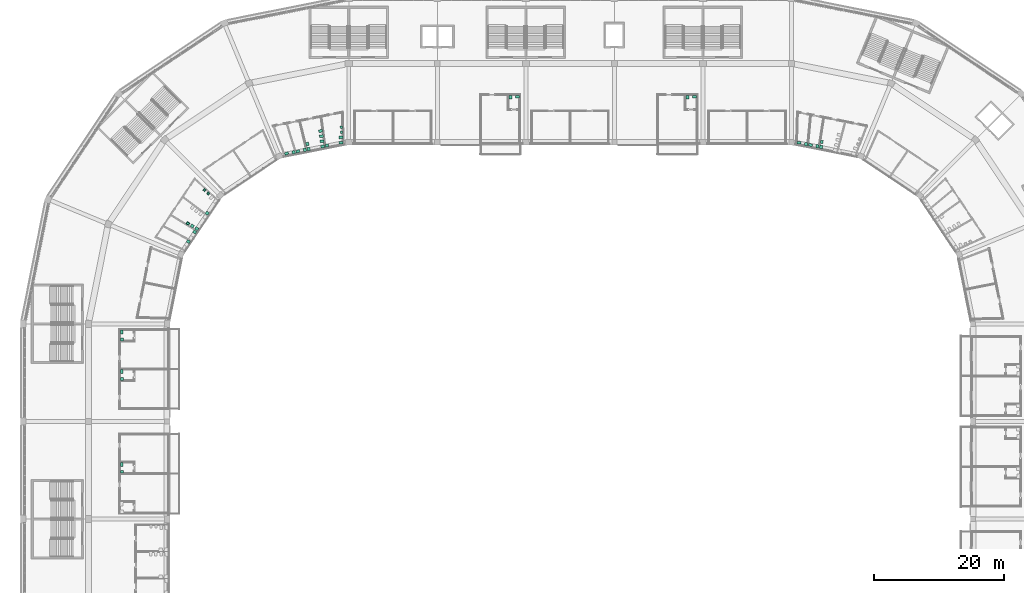
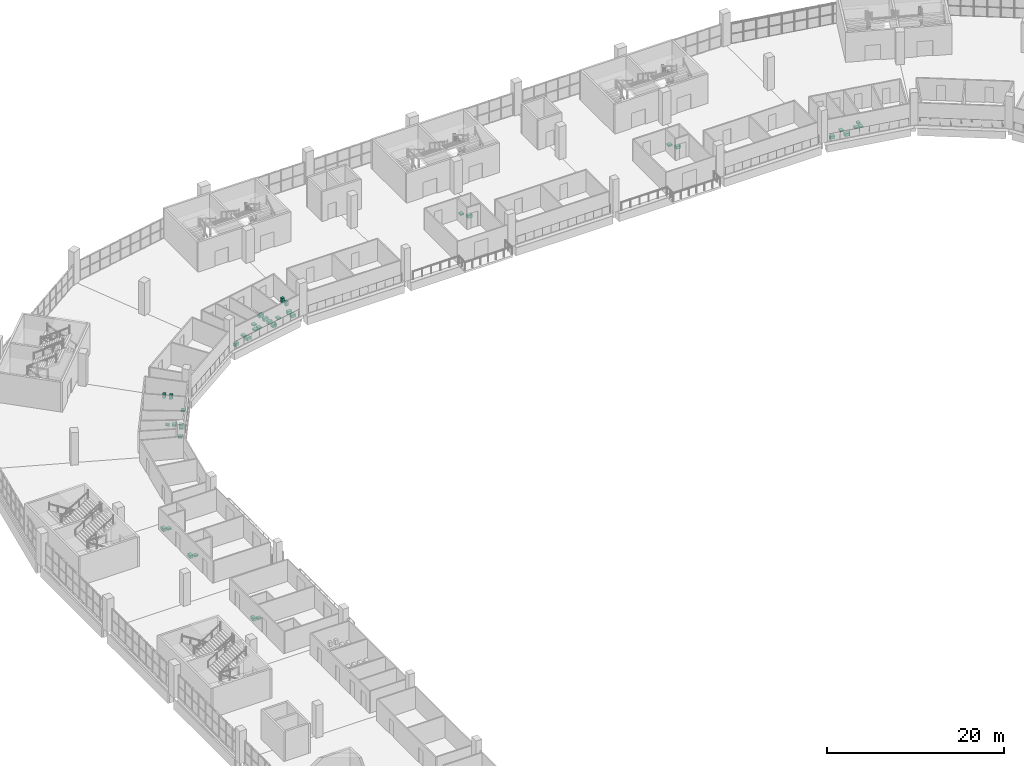
# One storey, part 198 of 199: 39 sanitary terminals.
"""IFC4 building model written with IfcOpenShell, lengths in metres."""

from ifc_helpers import new_model, si_unit, direction, frame, origin, origin_2d, place, context, subcontext, project, spatial, rectangle, extrude, material, type_object, element, save


model = new_model("IFC4")

# Units and contexts
model_context = context("Model", 3, precision=1e-05, world=origin(), true_north=direction((0.0, 1.0)))
body_context = subcontext(model_context, "Body", "Model", "MODEL_VIEW")
ifc_project = project(units=[si_unit("LENGTHUNIT", "METRE"), si_unit("AREAUNIT", "SQUARE_METRE"), si_unit("VOLUMEUNIT", "CUBIC_METRE"), si_unit("PLANEANGLEUNIT", "RADIAN"), si_unit("MASSUNIT", "GRAM", prefix="KILO")], contexts=[model_context])

# Site, building, storey
site_placement = place(None, origin())
site = spatial("IfcSite", under=ifc_project, at=site_placement, CompositionType="ELEMENT")
building_placement = place(site_placement, origin())
building = spatial("IfcBuilding", under=site, at=building_placement, Name="Ogive Plaza Stadium", CompositionType="ELEMENT")
storey_placement = place(building_placement, frame((0.0, 0.0, 9.0)))
storey = spatial("IfcBuildingStorey", under=building, at=storey_placement, Name="L02", CompositionType="ELEMENT", Elevation=9.0)

# Sanitary terminals
ifc_material_1 = material(Name="Vitreous china", Category="ceramic")
sanitary_terminal_type_1 = type_object("IfcSanitaryTerminalType", Name="Drinking fountain", PredefinedType="SANITARYFOUNTAIN", material=ifc_material_1)
for number, where, z_axis, x_axis, name in (
    (1, (-58.716796875, 67.927978515625, 0.7998046875), (0.0, 0.0, 1.0), (-0.851921669732, 0.523669235912, 0.0), "Drinking fountain L02-112"),
    (2, (38.668701171875, 80.44921875, 0.7998046875), (0.0, 0.0, 1.0), (0.157790980185, 0.987472534591, 0.0), "Drinking fountain L02-134"),
):
    element("IfcSanitaryTerminal", number, at=place(storey_placement, frame(where, z_axis=z_axis, x_axis=x_axis)), inside=storey, type_object=sanitary_terminal_type_1, Name=name, PredefinedType="SANITARYFOUNTAIN", context=body_context, shape_type="SweptSolid", body=[
        extrude(rectangle(XDim=0.449951171875, YDim=0.39990234375, at=origin_2d()), origin(), (0.0, 0.0, 1.0), 0.199951171875),
    ])
ifc_material_2 = material(Name="Vitreous china", Category="ceramic")
sanitary_terminal_type_2 = type_object("IfcSanitaryTerminalType", Name="Lavatory", PredefinedType="WASHHANDBASIN", material=ifc_material_2)
for number, where, z_axis, x_axis, name in (
    (3, (-55.743408203125, 69.503662109375, 0.7998046875), (0.0, 0.0, 1.0), (-0.792729242923, 0.609573906442, 0.0), "Lavatory L02-111"),
    (4, (-37.3515625, 79.898193359375, 0.7998046875), (0.0, 0.0, 1.0), (-0.129510380436, 0.991578066195, 0.0), "Lavatory L02-117"),
    (5, (-57.36181640625, 67.12451171875, 0.7998046875), (0.0, 0.0, 1.0), (-0.851921669732, 0.523669235912, 0.0), "Lavatory L02-112"),
    (6, (-58.04345703125, 67.54345703125, 0.7998046875), (0.0, 0.0, 1.0), (-0.851921669732, 0.523669235912, 0.0), "Lavatory L02-112"),
    (7, (-40.17822265625, 79.3603515625, 0.7998046875), (0.0, 0.0, 1.0), (-0.232109521896, 0.97268965752, 0.0), "Lavatory L02-118"),
    (8, (-40.364013671875, 80.138671875, 0.7998046875), (0.0, 0.0, 1.0), (-0.232109521896, 0.97268965752, 0.0), "Lavatory L02-118"),
    (9, (38.571044921875, 79.68017578125, 0.7998046875), (0.0, 0.0, 1.0), (0.157790980185, 0.987472534591, 0.0), "Lavatory L02-134"),
    (10, (-68.824951171875, 29.77490234375, 0.7998046875), (0.0, 0.0, 1.0), (1.0, 0.0, 0.0), "Lavatory L02-101"),
    (11, (-68.824951171875, 50.125, 0.7998046875), (0.0, 0.0, 1.0), (1.0, 0.0, 0.0), "Lavatory L02-105"),
    (12, (-68.824951171875, 44.050048828125, 0.7998046875), (0.0, 0.0, 1.0), (1.0, 0.0, 0.0), "Lavatory L02-107"),
    (13, (-57.674072265625, 66.62451171875, 0.7998046875), (0.0, 0.0, 1.0), (-0.854558554894, 0.519355057987, 0.0), "Lavatory L02-113"),
    (14, (-58.64013671875, 65.150390625, 0.7998046875), (0.0, 0.0, 1.0), (-0.885867776086, 0.463937801102, 0.0), "Lavatory L02-114"),
    (15, (-40.75244140625, 79.2275390625, 0.7998046875), (0.0, 0.0, 1.0), (-0.237024665741, 0.971503632433, 0.0), "Lavatory L02-119"),
    (16, (-42.47802734375, 78.868408203125, 0.7998046875), (0.0, 0.0, 1.0), (-0.298349546497, 0.954456676914, 0.0), "Lavatory L02-120"),
    (17, (-9.175048828125, 87.324951171875, 0.7998046875), (0.0, 0.0, 1.0), (0.0, -1.0, 0.0), "Lavatory L02-124"),
    (18, (18.02490234375, 87.324951171875, 0.7998046875), (0.0, 0.0, 1.0), (0.0, -1.0, 0.0), "Lavatory L02-129"),
    (19, (37.98974609375, 79.777099609375, 0.7998046875), (0.0, 0.0, 1.0), (0.152796107237, 0.988257734406, 0.0), "Lavatory L02-135"),
    (20, (36.258056640625, 80.105712890625, 0.7998046875), (0.0, 0.0, 1.0), (0.089615717622, 0.995976416967, 0.0), "Lavatory L02-136"),
):
    element("IfcSanitaryTerminal", number, at=place(storey_placement, frame(where, z_axis=z_axis, x_axis=x_axis)), inside=storey, type_object=sanitary_terminal_type_2, Name=name, PredefinedType="WASHHANDBASIN", context=body_context, shape_type="SweptSolid", body=[
        extrude(rectangle(XDim=0.5, YDim=0.449951171875, at=origin_2d()), origin(), (0.0, 0.0, 1.0), 0.199951171875),
    ])
ifc_material_3 = material(Name="Vitreous china", Category="ceramic")
sanitary_terminal_type_3 = type_object("IfcSanitaryTerminalType", Name="Urinal", PredefinedType="URINAL", material=ifc_material_3)
for number, where, z_axis, x_axis, name in (
    (21, (-55.588623046875, 72.515380859375, 0.599853515625), (0.0, 0.0, 1.0), (-0.729268442245, 0.684227695395, 0.0), "Urinal L02-111"),
    (22, (-56.172119140625, 73.062744140625, 0.599853515625), (0.0, 0.0, 1.0), (-0.729268442245, 0.684227695395, 0.0), "Urinal L02-111"),
    (23, (-35.112548828125, 81.918701171875, 0.599853515625), (0.0, 0.0, 1.0), (-0.031848617527, 0.999492704106, 0.0), "Urinal L02-117"),
    (24, (-35.137939453125, 82.71826171875, 0.599853515625), (0.0, 0.0, 1.0), (-0.031848617527, 0.999492704106, 0.0), "Urinal L02-117"),
):
    element("IfcSanitaryTerminal", number, at=place(storey_placement, frame(where, z_axis=z_axis, x_axis=x_axis)), inside=storey, type_object=sanitary_terminal_type_3, Name=name, PredefinedType="URINAL", context=body_context, shape_type="SweptSolid", body=[
        extrude(rectangle(XDim=0.35009765625, YDim=0.35009765625, at=origin_2d()), origin(), (0.0, 0.0, 1.0), 0.60009765625),
    ])
ifc_material_4 = material(Name="Vitreous china", Category="ceramic")
sanitary_terminal_type_4 = type_object("IfcSanitaryTerminalType", Name="Water closet", PredefinedType="TOILETPAN", material=ifc_material_4)
for number, where, z_axis, x_axis, name in (
    (25, (-35.187255859375, 80.34033203125, 0.0), (0.0, 0.0, 1.0), (-0.031848617527, 0.999492704106, 0.0), "Water closet L02-117"),
    (26, (-35.212890625, 81.139892578125, 0.0), (0.0, 0.0, 1.0), (-0.031848617527, 0.999492704106, 0.0), "Water closet L02-117"),
    (27, (-38.001953125, 79.752197265625, 0.0), (0.0, 0.0, 1.0), (-0.134510233024, 0.990912204593, 0.0), "Water closet L02-118"),
    (28, (-38.109619140625, 80.544921875, 0.0), (0.0, 0.0, 1.0), (-0.134510233024, 0.990912204593, 0.0), "Water closet L02-118"),
    (29, (-38.21728515625, 81.337646484375, 0.0), (0.0, 0.0, 1.0), (-0.134510233024, 0.990912204593, 0.0), "Water closet L02-118"),
    (30, (-38.324951171875, 82.13037109375, 0.0), (0.0, 0.0, 1.0), (-0.134510233024, 0.990912204593, 0.0), "Water closet L02-118"),
    (31, (-68.875, 30.875, 0.0), (0.0, 0.0, 1.0), (1.0, 0.0, 0.0), "Water closet L02-101"),
    (32, (-68.875, 51.22509765625, 0.0), (0.0, 0.0, 1.0), (1.0, 0.0, 0.0), "Water closet L02-105"),
    (33, (-68.875, 45.14990234375, 0.0), (0.0, 0.0, 1.0), (1.0, 0.0, 0.0), "Water closet L02-107"),
    (34, (-41.8251953125, 79.003173828125, 0.0), (0.0, 0.0, 1.0), (-0.293564859426, 0.955939157745, 0.0), "Water closet L02-119"),
    (35, (-43.55712890625, 78.675537109375, 0.0), (0.0, 0.0, 1.0), (-0.353065012759, 0.93559879049, 0.0), "Water closet L02-120"),
    (36, (-8.074951171875, 87.375, 0.0), (0.0, 0.0, 1.0), (0.0, -1.0, 0.0), "Water closet L02-124"),
    (37, (19.125, 87.375, 0.0), (0.0, 0.0, 1.0), (0.0, -1.0, 0.0), "Water closet L02-129"),
    (38, (36.912841796875, 79.980224609375, 0.0), (0.0, 0.0, 1.0), (0.09460351293, 0.995515030194, 0.0), "Water closet L02-135"),
    (39, (35.187255859375, 80.34033203125, 0.0), (0.0, 0.0, 1.0), (0.031848617527, 0.999492704106, 0.0), "Water closet L02-136"),
):
    element("IfcSanitaryTerminal", number, at=place(storey_placement, frame(where, z_axis=z_axis, x_axis=x_axis)), inside=storey, type_object=sanitary_terminal_type_4, Name=name, PredefinedType="TOILETPAN", context=body_context, shape_type="SweptSolid", body=[
        extrude(rectangle(XDim=0.39990234375, YDim=0.60009765625, at=origin_2d()), origin(), (0.0, 0.0, 1.0), 0.39990234375),
    ])

save(model, "model.ifc")
